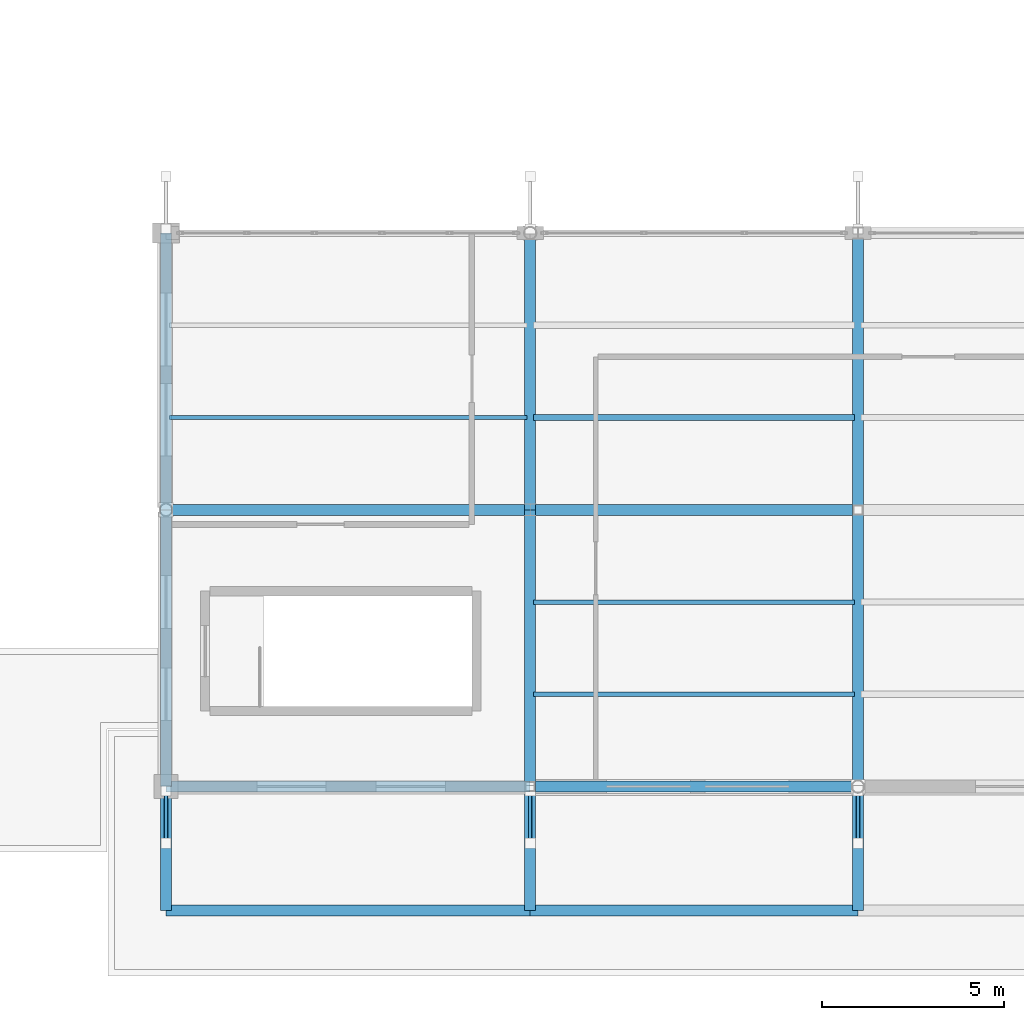
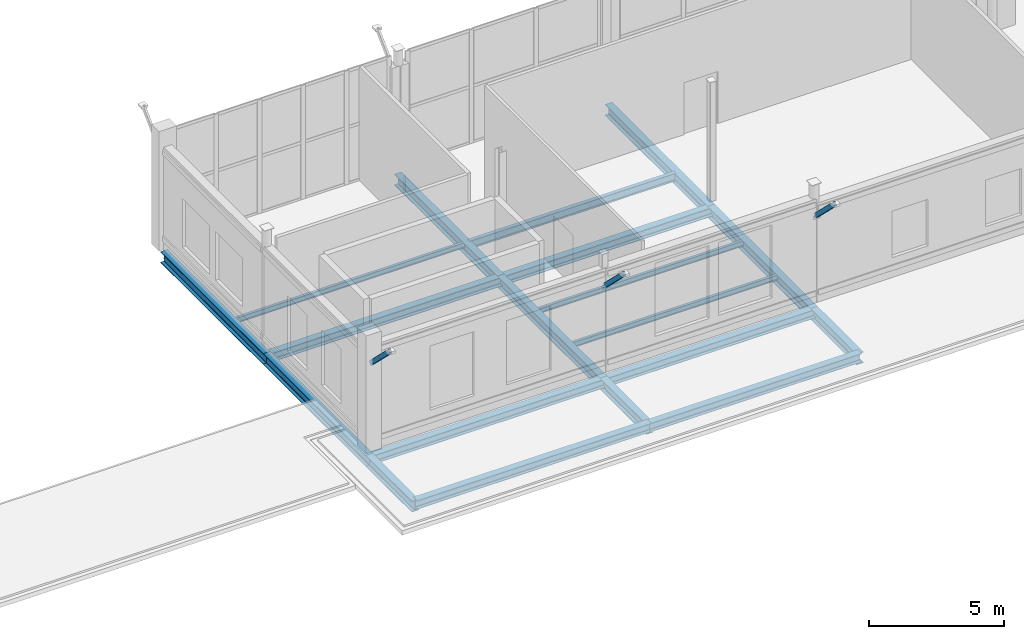
# One storey, part 76 of 147: 19 beams, 3 members.
"""IFC4 building model written with IfcOpenShell, lengths in metres."""

import ifcopenshell
import ifcopenshell.guid

model = None  # the IFC model being written
_history = None  # IfcOwnerHistory: only IFC2X3 demands one
_inside = {}  # id of a spatial element -> (the spatial element, [elements in it])
_under = {}  # id of a project, library or spatial element -> (it, [spatial elements below it])
_declared = {}  # id of a project -> (the project, [libraries it declares])
_typed = {}  # id of a type object -> (the type object, [elements of that type])
_made_of = {}  # id of a material, layer set ... -> (it, [elements and type objects made of it])


def new_model(schema):
    """Start an empty IFC model of exactly this schema.

    Asked for "IFC4X3", IfcOpenShell would pick the latest addendum, in which some entities
    have other attributes; the version numbers below select the first issue.
    IFC2X3 requires an IfcOwnerHistory on every rooted entity: one is made here for all.
    """
    global model, _history
    if schema == "IFC4X3":
        model = ifcopenshell.file(schema_version=(4, 3, 0, 0))
    else:
        model = ifcopenshell.file(schema=schema)
    _inside.clear()
    _under.clear()
    _declared.clear()
    _typed.clear()
    _made_of.clear()
    _history = None
    if model.schema == "IFC2X3":
        org = make("IfcOrganization", Name="unknown")
        user = make(
            "IfcPersonAndOrganization",
            ThePerson=make("IfcPerson", FamilyName="unknown"),
            TheOrganization=org,
        )
        app = make(
            "IfcApplication",
            ApplicationDeveloper=org,
            Version="unknown",
            ApplicationFullName="unknown",
            ApplicationIdentifier="unknown",
        )
        _history = make(
            "IfcOwnerHistory",
            OwningUser=user,
            OwningApplication=app,
            ChangeAction="ADDED",
            CreationDate=0,
        )
    return model


def make(cls, **values):
    """One entity of the class cls with the attributes given. An attribute that is None is left unset."""
    return model.create_entity(
        cls, **{name: value for name, value in values.items() if value is not None}
    )


def rooted(cls, **values):
    """An entity with a GlobalId (a new one), such as an element, a storey or a relation."""
    return make(cls, GlobalId=ifcopenshell.guid.new(), OwnerHistory=_history, **values)


def si_unit(unit_type, name, prefix=None):
    """IfcSIUnit, for example si_unit("LENGTHUNIT", "METRE", prefix="MILLI")."""
    return make("IfcSIUnit", UnitType=unit_type, Prefix=prefix, Name=name)


def assignment(units):
    """IfcUnitAssignment: the units of a project."""
    return None if units is None else make("IfcUnitAssignment", Units=units)


def point(xyz):
    """IfcCartesianPoint."""
    return None if xyz is None else make("IfcCartesianPoint", Coordinates=xyz)


def direction(xyz):
    """IfcDirection."""
    return None if xyz is None else make("IfcDirection", DirectionRatios=xyz)


def frame(location, z_axis=None, x_axis=None):
    """IfcAxis2Placement3D, a coordinate frame: its origin and axes. An axis left out is left unset."""
    return make(
        "IfcAxis2Placement3D",
        Location=point(location),
        Axis=direction(z_axis),
        RefDirection=direction(x_axis),
    )


def frame_2d(location, x_axis=None):
    """IfcAxis2Placement2D, a coordinate frame in the plane: its origin and x axis."""
    return make(
        "IfcAxis2Placement2D", Location=point(location), RefDirection=direction(x_axis)
    )


def origin():
    """The frame at (0, 0, 0) with its axes left unset."""
    return frame((0.0, 0.0, 0.0))


def origin_2d():
    """The frame at (0, 0) in the plane with its x axis left unset."""
    return frame_2d((0.0, 0.0))


def place(relative_to, where):
    """IfcLocalPlacement: puts the frame where relative to a parent placement (None: the world)."""
    return make(
        "IfcLocalPlacement", PlacementRelTo=relative_to, RelativePlacement=where
    )


def context(
    kind, dimensions, precision=None, world=None, true_north=None, identifier=None
):
    """IfcGeometricRepresentationContext, for example the 3D "Model" context."""
    return make(
        "IfcGeometricRepresentationContext",
        ContextIdentifier=identifier,
        ContextType=kind,
        CoordinateSpaceDimension=dimensions,
        Precision=precision,
        WorldCoordinateSystem=world,
        TrueNorth=true_north,
    )


def subcontext(parent, identifier, kind, view, scale=None):
    """IfcGeometricRepresentationSubContext, for example "Body" below "Model"."""
    return make(
        "IfcGeometricRepresentationSubContext",
        ContextIdentifier=identifier,
        ContextType=kind,
        ParentContext=parent,
        TargetScale=scale,
        TargetView=view,
    )


def project(units=None, contexts=None):
    """IfcProject with its units and contexts."""
    return rooted(
        "IfcProject",
        Name="project",
        RepresentationContexts=contexts,
        UnitsInContext=assignment(units),
    )


def spatial(cls, under=None, at=None, **own):
    """A site, building, storey or space (cls), placed at a placement, below another one or the project."""
    s = rooted(cls, ObjectPlacement=at, **own)
    if under is not None:
        _under.setdefault(under.id(), (under, []))[1].append(s)
    return s


def profile(cls, at=None, kind="AREA", **sizes):
    """A parametric profile (cls). Its sizes go by their IFC names, for example OverallWidth=200.0."""
    return make(cls, ProfileType=kind, Position=at, **sizes)


def hollow_rectangle(**sizes):
    """IfcRectangleHollowProfileDef."""
    return profile("IfcRectangleHollowProfileDef", **sizes)


def i_section(**sizes):
    """IfcIShapeProfileDef."""
    return profile("IfcIShapeProfileDef", **sizes)


def extrude(swept, where, along, depth):
    """IfcExtrudedAreaSolid: the profile swept, set in the frame where, extruded along a direction by depth."""
    return make(
        "IfcExtrudedAreaSolid",
        SweptArea=swept,
        Position=where,
        ExtrudedDirection=direction(along),
        Depth=depth,
    )


def shape(context_of_items, identifier, shape_type, items):
    """IfcShapeRepresentation: the items that make up one representation, for example the "Body"."""
    return make(
        "IfcShapeRepresentation",
        ContextOfItems=context_of_items,
        RepresentationIdentifier=identifier,
        RepresentationType=shape_type,
        Items=items,
    )


def material(Name=None, Category=None):
    """IfcMaterial."""
    return make("IfcMaterial", Name=Name, Category=Category)


def material_profile(
    of_material, cross_section, Name=None, Category=None, Priority=None
):
    """IfcMaterialProfile: a cross section and its material."""
    return make(
        "IfcMaterialProfile",
        Name=Name,
        Material=of_material,
        Profile=cross_section,
        Priority=Priority,
        Category=Category,
    )


def profile_set(profiles, Name=None, composite=None):
    """IfcMaterialProfileSet."""
    return make(
        "IfcMaterialProfileSet",
        Name=Name,
        MaterialProfiles=profiles,
        CompositeProfile=composite,
    )


def made_of(thing, what):
    """Note that an element or type object is made of a material, layer set ...; save() writes the relation."""
    if what is not None:
        _made_of.setdefault(what.id(), (what, []))[1].append(thing)
    return thing


def type_object(cls, material=None, **own):
    """A type object (cls), such as IfcWallType, which elements share."""
    return made_of(rooted(cls, **own), material)


def element(
    cls,
    number,
    at=None,
    inside=None,
    cuts=None,
    type_object=None,
    material=None,
    context=None,
    identifier="Body",
    shape_type=None,
    held_by="IfcProductDefinitionShape",
    body=None,
    shapes=None,
    **own,
):
    """One element of the class cls, such as IfcWall. Its Tag is "e" and its number.

    at: its placement. inside: the storey or other place that contains it. cuts: it is an
    opening in that element (IfcRelVoidsElement). A single representation is given by context,
    identifier, shape_type and body (its items); several are given by shapes. held_by: the class
    of the entity that holds the representations. save() writes the other relations.
    """
    e = rooted(cls, Tag="e%d" % number, ObjectPlacement=at, **own)
    if body is not None:
        shapes = [shape(context, identifier, shape_type, body)]
    if shapes is not None:
        e.Representation = make(held_by, Representations=shapes)
    if inside is not None:
        _inside.setdefault(inside.id(), (inside, []))[1].append(e)
    if cuts is not None:
        rooted(
            "IfcRelVoidsElement", RelatingBuildingElement=cuts, RelatedOpeningElement=e
        )
    if type_object is not None:
        _typed.setdefault(type_object.id(), (type_object, []))[1].append(e)
    return made_of(e, material)


def aggregate(whole, parts):
    """IfcRelAggregates: a whole, such as a stair, and the parts it consists of."""
    return rooted("IfcRelAggregates", RelatingObject=whole, RelatedObjects=parts)


def save(model, path):
    """Write the relations noted so far, then the file.

    IfcRelAggregates (storeys below a building ...), IfcRelContainedInSpatialStructure (elements
    in a storey), IfcRelDefinesByType, IfcRelAssociatesMaterial and IfcRelDeclares: one each for
    every whole, place, type object, material and project.
    """
    for whole, parts in _under.values():
        aggregate(whole, parts)
    for where, things in _inside.values():
        rooted(
            "IfcRelContainedInSpatialStructure",
            RelatedElements=things,
            RelatingStructure=where,
        )
    for kind, things in _typed.values():
        rooted("IfcRelDefinesByType", RelatedObjects=things, RelatingType=kind)
    for what, things in _made_of.values():
        rooted("IfcRelAssociatesMaterial", RelatedObjects=things, RelatingMaterial=what)
    for by, libraries in _declared.values():
        rooted("IfcRelDeclares", RelatingContext=by, RelatedDefinitions=libraries)
    model.write(path)


model = new_model("IFC4")

# Units and contexts
model_context = context("Model", 3, precision=1e-05, world=origin(), true_north=direction((0.0, 1.0)))
body_context = subcontext(model_context, "Body", "Model", "MODEL_VIEW")
ifc_project = project(units=[si_unit("LENGTHUNIT", "METRE"), si_unit("AREAUNIT", "SQUARE_METRE"), si_unit("VOLUMEUNIT", "CUBIC_METRE"), si_unit("PLANEANGLEUNIT", "RADIAN"), si_unit("MASSUNIT", "GRAM", prefix="KILO")], contexts=[model_context])

# Site, building, storey
site_placement = place(None, origin())
site = spatial("IfcSite", under=ifc_project, at=site_placement, CompositionType="ELEMENT")
building_placement = place(site_placement, origin())
building = spatial("IfcBuilding", under=site, at=building_placement, Name="Vekula Escarpment Museum", CompositionType="ELEMENT")
storey_placement = place(building_placement, frame((0.0, 0.0, 7.800048828125)))
storey = spatial("IfcBuildingStorey", under=building, at=storey_placement, Name="L02", CompositionType="ELEMENT", Elevation=7.800048828125)

# Beams
ifc_material_1 = material(Name="Steel S355", Category="steel")
ifc_material_profile_1 = material_profile(ifc_material_1, i_section(OverallWidth=0.300048828125, OverallDepth=0.39990234375, WebThickness=0.013427734375, FlangeThickness=0.02392578125, FilletRadius=0.027099609375, at=origin_2d()), Name="HEB 400")
ifc_profile_set_1 = profile_set([ifc_material_profile_1], Name="Steel S355")
beam_type_1 = type_object("IfcBeamType", Name="BM-GIRD-HEB400", PredefinedType="BEAM", material=ifc_profile_set_1)
beam_1_placement = place(storey_placement, frame((136.0, 7.60009765625, -0.4599609375), z_axis=(1.0, 0.0, 0.0), x_axis=(0.0, 1.0, 0.0)))
element("IfcBeam", 1, at=beam_1_placement, inside=storey, type_object=beam_type_1, Name="Beam X L02 0808", PredefinedType="BEAM", context=body_context, shape_type="SweptSolid", body=[
    extrude(i_section(OverallWidth=0.300048828125, OverallDepth=0.39990234375, WebThickness=0.013427734375, FlangeThickness=0.02392578125, FilletRadius=0.027099609375, at=origin_2d()), origin(), (0.0, 0.0, 1.0), 10.0),
])
beam_2_placement = place(storey_placement, frame((146.0, 7.60009765625, -0.4599609375), z_axis=(1.0, 0.0, 0.0), x_axis=(0.0, 1.0, 0.0)))
element("IfcBeam", 2, at=beam_2_placement, inside=storey, type_object=beam_type_1, Name="Beam X L02 0809", PredefinedType="BEAM", context=body_context, shape_type="SweptSolid", body=[
    extrude(i_section(OverallWidth=0.300048828125, OverallDepth=0.39990234375, WebThickness=0.013427734375, FlangeThickness=0.02392578125, FilletRadius=0.027099609375, at=origin_2d()), origin(), (0.0, 0.0, 1.0), 9.0),
])
ifc_material_2 = material(Name="Steel S355", Category="steel")
ifc_material_profile_2 = material_profile(ifc_material_2, i_section(OverallWidth=0.300048828125, OverallDepth=0.5, WebThickness=0.014404296875, FlangeThickness=0.028076171875, FilletRadius=0.027099609375, at=origin_2d()), Name="HEB 500")
ifc_profile_set_2 = profile_set([ifc_material_profile_2], Name="Steel S355")
beam_type_2 = type_object("IfcBeamType", Name="BM-GIRD-HEB500", PredefinedType="BEAM", material=ifc_profile_set_2)
beam_3_placement = place(storey_placement, frame((136.0, -3.39990234375, -0.510009765625), z_axis=(0.0, 1.0, 0.0), x_axis=(-1.0, 0.0, 0.0)))
element("IfcBeam", 3, at=beam_3_placement, inside=storey, type_object=beam_type_2, Name="Beam Y L02 1208", PredefinedType="BEAM", context=body_context, shape_type="SweptSolid", body=[
    extrude(i_section(OverallWidth=0.300048828125, OverallDepth=0.5, WebThickness=0.014404296875, FlangeThickness=0.028076171875, FilletRadius=0.027099609375, at=origin_2d()), origin(), (0.0, 0.0, 1.0), 3.39990234375),
])
beam_4_placement = place(storey_placement, frame((136.0, 0.0, -0.510009765625), z_axis=(0.0, 1.0, 0.0), x_axis=(-1.0, 0.0, 0.0)))
element("IfcBeam", 4, at=beam_4_placement, inside=storey, type_object=beam_type_2, Name="Beam Y L02 1209", PredefinedType="BEAM", context=body_context, shape_type="SweptSolid", body=[
    extrude(i_section(OverallWidth=0.300048828125, OverallDepth=0.5, WebThickness=0.014404296875, FlangeThickness=0.028076171875, FilletRadius=0.027099609375, at=origin_2d()), origin(), (0.0, 0.0, 1.0), 7.60009765625),
])
beam_5_placement = place(storey_placement, frame((136.0, 7.60009765625, -0.510009765625), z_axis=(0.0, 1.0, 0.0), x_axis=(-1.0, 0.0, 0.0)))
element("IfcBeam", 5, at=beam_5_placement, inside=storey, type_object=beam_type_2, Name="Beam Y L02 1210", PredefinedType="BEAM", context=body_context, shape_type="SweptSolid", body=[
    extrude(i_section(OverallWidth=0.300048828125, OverallDepth=0.5, WebThickness=0.014404296875, FlangeThickness=0.028076171875, FilletRadius=0.027099609375, at=origin_2d()), origin(), (0.0, 0.0, 1.0), 7.599853515625),
])
beam_6_placement = place(storey_placement, frame((146.0, -3.39990234375, -0.510009765625), z_axis=(0.0, 1.0, 0.0), x_axis=(-1.0, 0.0, 0.0)))
element("IfcBeam", 6, at=beam_6_placement, inside=storey, type_object=beam_type_2, Name="Beam Y L02 1212", PredefinedType="BEAM", context=body_context, shape_type="SweptSolid", body=[
    extrude(i_section(OverallWidth=0.300048828125, OverallDepth=0.5, WebThickness=0.014404296875, FlangeThickness=0.028076171875, FilletRadius=0.027099609375, at=origin_2d()), origin(), (0.0, 0.0, 1.0), 3.39990234375),
])
beam_7_placement = place(storey_placement, frame((146.0, 0.0, -0.510009765625), z_axis=(0.0, 1.0, 0.0), x_axis=(-1.0, 0.0, 0.0)))
element("IfcBeam", 7, at=beam_7_placement, inside=storey, type_object=beam_type_2, Name="Beam Y L02 1213", PredefinedType="BEAM", context=body_context, shape_type="SweptSolid", body=[
    extrude(i_section(OverallWidth=0.300048828125, OverallDepth=0.5, WebThickness=0.014404296875, FlangeThickness=0.028076171875, FilletRadius=0.027099609375, at=origin_2d()), origin(), (0.0, 0.0, 1.0), 7.60009765625),
])
beam_8_placement = place(storey_placement, frame((146.0, 7.60009765625, -0.510009765625), z_axis=(0.0, 1.0, 0.0), x_axis=(-1.0, 0.0, 0.0)))
element("IfcBeam", 8, at=beam_8_placement, inside=storey, type_object=beam_type_2, Name="Beam Y L02 1214", PredefinedType="BEAM", context=body_context, shape_type="SweptSolid", body=[
    extrude(i_section(OverallWidth=0.300048828125, OverallDepth=0.5, WebThickness=0.014404296875, FlangeThickness=0.028076171875, FilletRadius=0.027099609375, at=origin_2d()), origin(), (0.0, 0.0, 1.0), 7.599853515625),
])
beam_9_placement = place(storey_placement, frame((155.0, -3.39990234375, -0.510009765625), z_axis=(0.0, 1.0, 0.0), x_axis=(-1.0, 0.0, 0.0)))
element("IfcBeam", 9, at=beam_9_placement, inside=storey, type_object=beam_type_2, Name="Beam Y L02 1216", PredefinedType="BEAM", context=body_context, shape_type="SweptSolid", body=[
    extrude(i_section(OverallWidth=0.300048828125, OverallDepth=0.5, WebThickness=0.014404296875, FlangeThickness=0.028076171875, FilletRadius=0.027099609375, at=origin_2d()), origin(), (0.0, 0.0, 1.0), 3.39990234375),
])
beam_10_placement = place(storey_placement, frame((155.0, 0.0, -0.510009765625), z_axis=(0.0, 1.0, 0.0), x_axis=(-1.0, 0.0, 0.0)))
element("IfcBeam", 10, at=beam_10_placement, inside=storey, type_object=beam_type_2, Name="Beam Y L02 1217", PredefinedType="BEAM", context=body_context, shape_type="SweptSolid", body=[
    extrude(i_section(OverallWidth=0.300048828125, OverallDepth=0.5, WebThickness=0.014404296875, FlangeThickness=0.028076171875, FilletRadius=0.027099609375, at=origin_2d()), origin(), (0.0, 0.0, 1.0), 7.60009765625),
])
beam_11_placement = place(storey_placement, frame((155.0, 7.60009765625, -0.510009765625), z_axis=(0.0, 1.0, 0.0), x_axis=(-1.0, 0.0, 0.0)))
element("IfcBeam", 11, at=beam_11_placement, inside=storey, type_object=beam_type_2, Name="Beam Y L02 1218", PredefinedType="BEAM", context=body_context, shape_type="SweptSolid", body=[
    extrude(i_section(OverallWidth=0.300048828125, OverallDepth=0.5, WebThickness=0.014404296875, FlangeThickness=0.028076171875, FilletRadius=0.027099609375, at=origin_2d()), origin(), (0.0, 0.0, 1.0), 7.599853515625),
])
ifc_material_3 = material(Name="Steel S355", Category="steel")
ifc_material_profile_3 = material_profile(ifc_material_3, i_section(OverallWidth=0.1201171875, OverallDepth=0.239990234375, WebThickness=0.006103515625, FlangeThickness=0.009765625, FilletRadius=0.014892578125, at=origin_2d()), Name="IPE 240")
ifc_profile_set_3 = profile_set([ifc_material_profile_3], Name="Steel S355")
beam_type_3 = type_object("IfcBeamType", Name="BM-JST-IPE240", PredefinedType="JOIST", material=ifc_profile_set_3)
beam_12_placement = place(storey_placement, frame((136.090087890625, 10.13330078125, -0.380126953125), z_axis=(1.0, 0.0, 0.0), x_axis=(0.0, 1.0, 0.0)))
element("IfcBeam", 12, at=beam_12_placement, inside=storey, type_object=beam_type_3, Name="Secondary Joist L02 0825", PredefinedType="JOIST", context=body_context, shape_type="SweptSolid", body=[
    extrude(i_section(OverallWidth=0.1201171875, OverallDepth=0.239990234375, WebThickness=0.006103515625, FlangeThickness=0.009765625, FilletRadius=0.014892578125, at=origin_2d()), origin(), (0.0, 0.0, 1.0), 9.81982421875),
])
for number, where, z_axis, x_axis, name in (
    (13, (146.090087890625, 2.533203125, -0.380126953125), (1.0, 0.0, 0.0), (0.0, 1.0, 0.0), "Secondary Joist L02 0829"),
    (14, (146.090087890625, 5.066650390625, -0.380126953125), (1.0, 0.0, 0.0), (0.0, 1.0, 0.0), "Secondary Joist L02 0830"),
):
    element("IfcBeam", number, at=place(storey_placement, frame(where, z_axis=z_axis, x_axis=x_axis)), inside=storey, type_object=beam_type_3, Name=name, PredefinedType="JOIST", context=body_context, shape_type="SweptSolid", body=[
        extrude(i_section(OverallWidth=0.1201171875, OverallDepth=0.239990234375, WebThickness=0.006103515625, FlangeThickness=0.009765625, FilletRadius=0.014892578125, at=origin_2d()), origin(), (0.0, 0.0, 1.0), 8.81982421875),
    ])
ifc_material_4 = material(Name="Steel S355", Category="steel")
ifc_material_profile_4 = material_profile(ifc_material_4, i_section(OverallWidth=0.169921875, OverallDepth=0.360107421875, WebThickness=0.008056640625, FlangeThickness=0.0126953125, FilletRadius=0.01806640625, at=origin_2d()), Name="IPE 360")
ifc_profile_set_4 = profile_set([ifc_material_profile_4], Name="Steel S355")
beam_type_4 = type_object("IfcBeamType", Name="BM-JST-IPE360", PredefinedType="JOIST", material=ifc_profile_set_4)
beam_13_placement = place(storey_placement, frame((146.090087890625, 10.13330078125, -0.43994140625), z_axis=(1.0, 0.0, 0.0), x_axis=(0.0, 1.0, 0.0)))
element("IfcBeam", 15, at=beam_13_placement, inside=storey, type_object=beam_type_4, Name="Secondary Joist L02 0831", PredefinedType="JOIST", context=body_context, shape_type="SweptSolid", body=[
    extrude(i_section(OverallWidth=0.169921875, OverallDepth=0.360107421875, WebThickness=0.008056640625, FlangeThickness=0.0126953125, FilletRadius=0.01806640625, at=origin_2d()), origin(), (0.0, 0.0, 1.0), 8.81982421875),
])
ifc_material_5 = material(Name="Steel S355", Category="steel")
ifc_material_profile_5 = material_profile(ifc_material_5, i_section(OverallWidth=0.300048828125, OverallDepth=0.389892578125, WebThickness=0.010986328125, FlangeThickness=0.01904296875, FilletRadius=0.027099609375, at=origin_2d()), Name="HEA 400")
ifc_profile_set_5 = profile_set([ifc_material_profile_5], Name="Steel S355")
beam_type_5 = type_object("IfcBeamType", Name="BM-SPAN-HEA400", PredefinedType="SPANDREL", material=ifc_profile_set_5)
beam_14_placement = place(storey_placement, frame((136.0, -3.39990234375, -0.39501953125), z_axis=(1.0, 0.0, 0.0), x_axis=(0.0, 1.0, 0.0)))
element("IfcBeam", 16, at=beam_14_placement, inside=storey, type_object=beam_type_5, Name="Beam X L02 0780", PredefinedType="SPANDREL", context=body_context, shape_type="SweptSolid", body=[
    extrude(i_section(OverallWidth=0.300048828125, OverallDepth=0.389892578125, WebThickness=0.010986328125, FlangeThickness=0.01904296875, FilletRadius=0.027099609375, at=origin_2d()), origin(), (0.0, 0.0, 1.0), 10.0),
])
beam_15_placement = place(storey_placement, frame((146.0, -3.39990234375, -0.39501953125), z_axis=(1.0, 0.0, 0.0), x_axis=(0.0, 1.0, 0.0)))
element("IfcBeam", 17, at=beam_15_placement, inside=storey, type_object=beam_type_5, Name="Beam X L02 0781", PredefinedType="SPANDREL", context=body_context, shape_type="SweptSolid", body=[
    extrude(i_section(OverallWidth=0.300048828125, OverallDepth=0.389892578125, WebThickness=0.010986328125, FlangeThickness=0.01904296875, FilletRadius=0.027099609375, at=origin_2d()), origin(), (0.0, 0.0, 1.0), 9.0),
])
beam_16_placement = place(storey_placement, frame((136.0, 0.0, -0.455078125), z_axis=(1.0, 0.0, 0.0), x_axis=(0.0, 1.0, 0.0)))
element("IfcBeam", 18, at=beam_16_placement, inside=storey, type_object=beam_type_5, Name="Beam X L02 0795", PredefinedType="SPANDREL", context=body_context, shape_type="SweptSolid", body=[
    extrude(i_section(OverallWidth=0.300048828125, OverallDepth=0.389892578125, WebThickness=0.010986328125, FlangeThickness=0.01904296875, FilletRadius=0.027099609375, at=origin_2d()), origin(), (0.0, 0.0, 1.0), 10.0),
])
beam_17_placement = place(storey_placement, frame((146.0, 0.0, -0.455078125), z_axis=(1.0, 0.0, 0.0), x_axis=(0.0, 1.0, 0.0)))
element("IfcBeam", 19, at=beam_17_placement, inside=storey, type_object=beam_type_5, Name="Beam X L02 0796", PredefinedType="SPANDREL", context=body_context, shape_type="SweptSolid", body=[
    extrude(i_section(OverallWidth=0.300048828125, OverallDepth=0.389892578125, WebThickness=0.010986328125, FlangeThickness=0.01904296875, FilletRadius=0.027099609375, at=origin_2d()), origin(), (0.0, 0.0, 1.0), 9.0),
])

# Members
ifc_material_6 = material(Name="Steel S355", Category="steel")
ifc_material_profile_6 = material_profile(ifc_material_6, hollow_rectangle(XDim=0.10009765625, YDim=0.199951171875, WallThickness=0.008056640625, InnerFilletRadius=0.008056640625, OuterFilletRadius=0.01611328125, at=origin_2d()), Name="RHS 200x100x8")
ifc_profile_set_6 = profile_set([ifc_material_profile_6], Name="Steel S355")
member_type = type_object("IfcMemberType", Name="MB-SACAK-BRK", PredefinedType="STRUT", material=ifc_profile_set_6)
for number, where, z_axis, x_axis, name in (
    (20, (136.0, -0.1201171875, 3.949951171875), (0.0, -0.714570141171, 0.699563802198), (1.0, 0.0, 0.0), "Ottoman Sacak Eave Bracket Z9-0141"),
    (21, (146.0, -0.1201171875, 3.949951171875), (0.0, -0.714570141171, 0.699563802198), (1.0, 0.0, 0.0), "Ottoman Sacak Eave Bracket Z9-0143"),
    (22, (155.0, -0.1201171875, 3.949951171875), (0.0, -0.714570141171, 0.699563802198), (1.0, 0.0, 0.0), "Ottoman Sacak Eave Bracket Z9-0145"),
):
    element("IfcMember", number, at=place(storey_placement, frame(where, z_axis=z_axis, x_axis=x_axis)), inside=storey, type_object=member_type, Name=name, PredefinedType="STRUT", context=body_context, shape_type="SweptSolid", body=[
        extrude(hollow_rectangle(XDim=0.10009765625, YDim=0.199951171875, WallThickness=0.008056640625, InnerFilletRadius=0.008056640625, OuterFilletRadius=0.01611328125, at=origin_2d()), origin(), (0.0, 0.0, 1.0), 2.001220703125),
    ])

save(model, "model.ifc")
